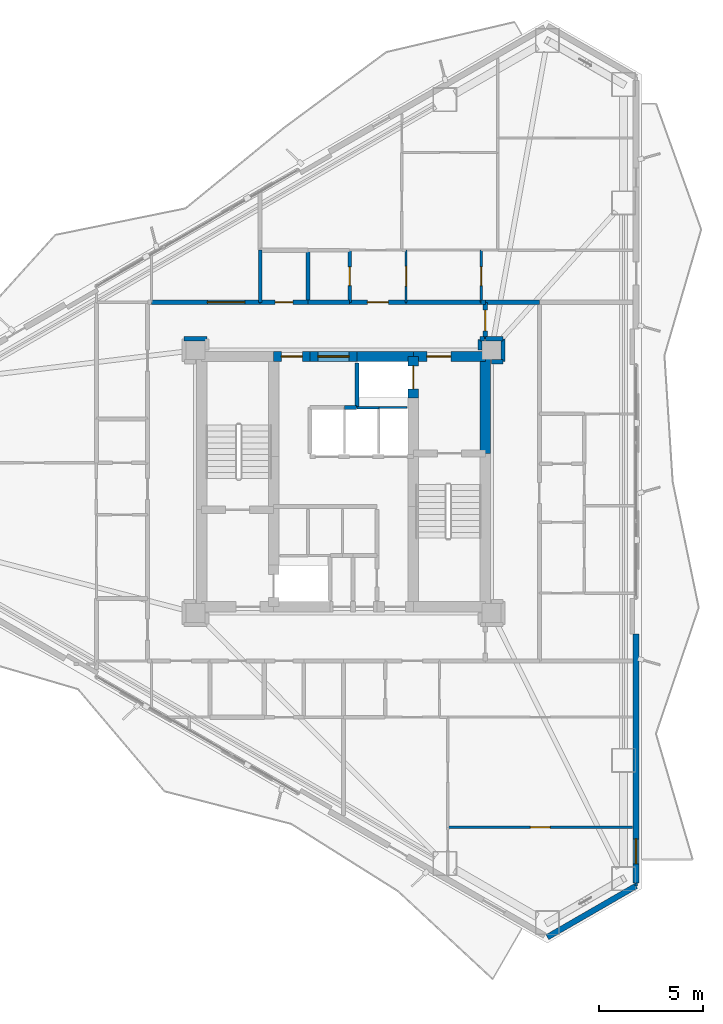
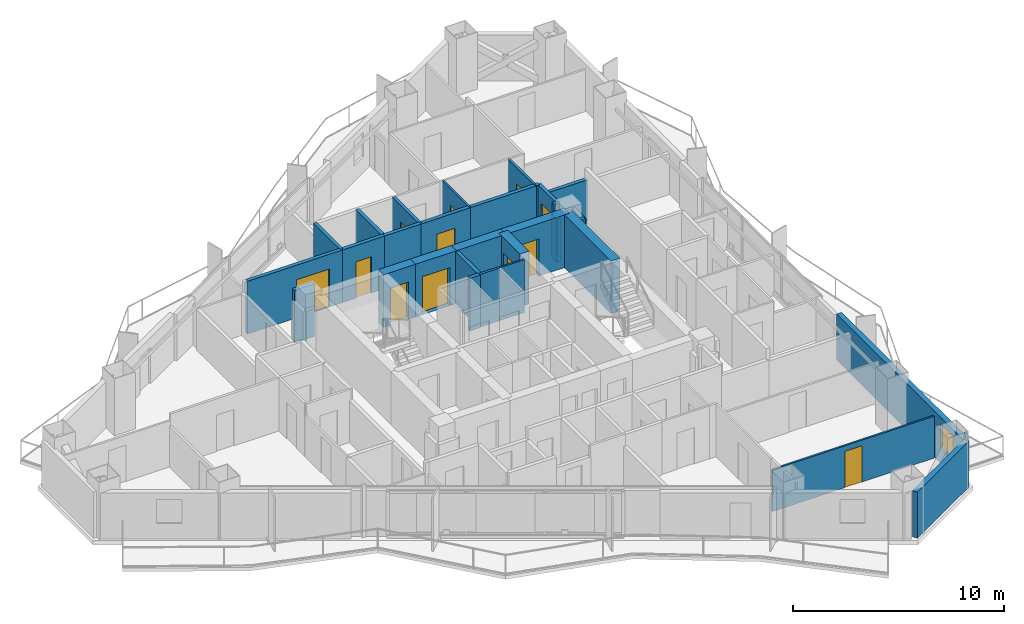
# One storey, part 18 of 22: 33 walls, 12 doors, 1 window, 13 openings.
"""IFC4 building model written with IfcOpenShell, lengths in metres."""

from ifc_helpers import new_model, si_unit, direction, frame, frame_2d, origin, place, context, subcontext, project, spatial, rectangle, extrude, material, layer, layer_set, type_object, element, fill, save


model = new_model("IFC4")

# Units and contexts
model_context = context("Model", 3, precision=1e-05, world=origin(), true_north=direction((0.0, 1.0)))
body_context = subcontext(model_context, "Body", "Model", "MODEL_VIEW")
ifc_project = project(units=[si_unit("LENGTHUNIT", "METRE"), si_unit("AREAUNIT", "SQUARE_METRE"), si_unit("VOLUMEUNIT", "CUBIC_METRE"), si_unit("PLANEANGLEUNIT", "RADIAN"), si_unit("MASSUNIT", "GRAM", prefix="KILO")], contexts=[model_context])

# Site, building, storey
site_placement = place(None, origin())
site = spatial("IfcSite", under=ifc_project, at=site_placement, CompositionType="ELEMENT")
building_placement = place(site_placement, origin())
building = spatial("IfcBuilding", under=site, at=building_placement, Name="Mersakhor Tower and Convention Hall", CompositionType="ELEMENT")
storey_placement = place(building_placement, frame((0.0, 0.0, 76.800048828125)))
storey = spatial("IfcBuildingStorey", under=building, at=storey_placement, Name="L20", CompositionType="ELEMENT", Elevation=76.800048828125)

# Wall
ifc_material_1 = material(Name="Precast concrete C45/55", Category="concrete")
ifc_layer_1 = layer(ifc_material_1, 0.27490234375)
ifc_layer_set_1 = layer_set([ifc_layer_1], Name="Precast concrete C45/55")
wall_type_1 = type_object("IfcWallType", Name="WL-EXT-275", PredefinedType="SOLIDWALL", material=ifc_layer_set_1)
wall_1_placement = place(storey_placement, frame((43.03466796875, 7.355712890625, 0.0), z_axis=(0.0, 0.0, 1.0), x_axis=(-0.866011848704, -0.500023477353, 0.0)))
element("IfcWall", 1, at=wall_1_placement, inside=storey, type_object=wall_type_1, Name="L20 Chamfer Braced Spandrel Wall C2", PredefinedType="SOLIDWALL", context=body_context, shape_type="SweptSolid", body=[
    extrude(rectangle(XDim=4.914306640625, YDim=0.27490234375, at=frame_2d((2.45703125, 0.0))), origin(), (0.0, 0.0, 1.0), 2.669921875),
])

# Wall, opening, window
wall_2_placement = place(storey_placement, frame((43.03466796875, 19.435302734375, 0.0), z_axis=(0.0, 0.0, 1.0), x_axis=(0.0, -1.0, 0.0)))
wall_2 = element("IfcWall", 2, at=wall_2_placement, inside=storey, type_object=wall_type_1, Name="L20 Exterior Facade Wall F2-B3", PredefinedType="SOLIDWALL", context=body_context, shape_type="SweptSolid", body=[
    extrude(rectangle(XDim=11.9296875, YDim=0.27490234375, at=frame_2d((5.96484375, 0.0))), origin(), (0.0, 0.0, 1.0), 2.669921875),
])
opening_1_placement = place(wall_2_placement, frame((9.825927734375, 0.0, 0.89990234375)))
opening_1 = element("IfcOpeningElement", 3, at=opening_1_placement, cuts=wall_2, Name="Opening W-01", PredefinedType="OPENING", context=body_context, shape_type="SweptSolid", body=[
    extrude(rectangle(XDim=1.199951171875, YDim=1.39990234375, at=frame_2d((0.60009765625, 0.699951171875))), frame((0.0, 0.1474609375, 0.0), z_axis=(0.0, -1.0, 0.0), x_axis=(1.0, 0.0, 0.0)), (0.0, 0.0, 1.0), 0.294921875),
])
ifc_material_2 = material(Name="Dark solar low-E glazed aluminium window", Category="aluminium")
window_type = type_object("IfcWindowType", Name="WN-RES-120x150", PartitioningType="SINGLE_PANEL", PredefinedType="WINDOW", material=ifc_material_2)
window_placement = place(opening_1_placement, origin())
window = element("IfcWindow", 4, at=window_placement, inside=storey, type_object=window_type, Name="L20 Bedroom Facade Window F2-B3-1", OverallHeight=1.39990234375, OverallWidth=1.199951171875, PartitioningType="SINGLE_PANEL", PredefinedType="WINDOW", context=body_context, shape_type="SweptSolid", body=[
    extrude(rectangle(XDim=1.199951171875, YDim=1.39990234375, at=frame_2d((0.60009765625, 0.699951171875))), frame((0.0, 0.030029296875, 0.0), z_axis=(0.0, -1.0, 0.0), x_axis=(1.0, 0.0, 0.0)), (0.0, 0.0, 1.0), 0.06005859375),
])
fill(opening_1, window)

# Wall, opening, door
ifc_material_3 = material(Name="Moisture-resistant acoustic drywall studwork", Category="other")
ifc_layer_2 = layer(ifc_material_3, 0.175048828125)
ifc_layer_set_2 = layer_set([ifc_layer_2], Name="Moisture-resistant acoustic drywall studwork")
wall_type_2 = type_object("IfcWallType", Name="WL-PLM-175", PredefinedType="PLUMBINGWALL", material=ifc_layer_set_2)
wall_3_placement = place(storey_placement, frame((29.300048828125, 35.35009765625, 0.0), z_axis=(0.0, 0.0, 1.0), x_axis=(0.0, 1.0, 0.0)))
wall_3 = element("IfcWall", 5, at=wall_3_placement, inside=storey, type_object=wall_type_2, Name="L20 Interior Partition Wall P-069", PredefinedType="PLUMBINGWALL", context=body_context, shape_type="SweptSolid", body=[
    extrude(rectangle(XDim=2.5, YDim=0.175048828125, at=frame_2d((1.25, 0.0))), origin(), (0.0, 0.0, 1.0), 3.050048828125),
])
opening_2_placement = place(wall_3_placement, frame((0.800048828125, 0.0, 0.0)))
opening_2 = element("IfcOpeningElement", 6, at=opening_2_placement, cuts=wall_3, Name="Opening WD-01", PredefinedType="OPENING", context=body_context, shape_type="SweptSolid", body=[
    extrude(rectangle(XDim=0.89990234375, YDim=2.10009765625, at=frame_2d((0.449951171875, 1.050048828125))), frame((0.0, 0.097412109375, 0.0), z_axis=(0.0, -1.0, 0.0), x_axis=(1.0, 0.0, 0.0)), (0.0, 0.0, 1.0), 0.195068359375),
])
ifc_material_4 = material(Name="Solid-core hardwood leaf in painted steel frame", Category="steel")
door_type_1 = type_object("IfcDoorType", Name="DR-INT-WET-090x210", OperationType="NOTDEFINED", PredefinedType="DOOR", material=ifc_material_4)
door_1_placement = place(opening_2_placement, origin())
door_1 = element("IfcDoor", 7, at=door_1_placement, inside=storey, type_object=door_type_1, Name="L20 L20 Flat N1 Apartment Hall to L20 Flat N1 Bathroom Door", OperationType="SINGLE_SWING_RIGHT", OverallHeight=2.10009765625, OverallWidth=0.89990234375, PredefinedType="DOOR", context=body_context, shape_type="SweptSolid", body=[
    extrude(rectangle(XDim=0.89990234375, YDim=2.10009765625, at=frame_2d((0.449951171875, 1.050048828125))), frame((0.0, 0.02490234375, 0.0), z_axis=(0.0, -1.0, 0.0), x_axis=(1.0, 0.0, 0.0)), (0.0, 0.0, 1.0), 0.050048828125),
])
fill(opening_2, door_1)

# Walls
wall_4_placement = place(storey_placement, frame((25.0, 35.35009765625, 0.0), z_axis=(0.0, 0.0, 1.0), x_axis=(0.0, 1.0, 0.0)))
element("IfcWall", 8, at=wall_4_placement, inside=storey, type_object=wall_type_2, Name="L20 Interior Partition Wall P-082", PredefinedType="PLUMBINGWALL", context=body_context, shape_type="SweptSolid", body=[
    extrude(rectangle(XDim=2.5, YDim=0.175048828125, at=frame_2d((1.25, 0.0))), origin(), (0.0, 0.0, 1.0), 3.050048828125),
])
ifc_material_5 = material(Name="Lightweight gypsum partition", Category="other")
ifc_layer_3 = layer(ifc_material_5, 0.10009765625)
ifc_layer_set_3 = layer_set([ifc_layer_3], Name="Lightweight gypsum partition")
wall_type_3 = type_object("IfcWallType", Name="WL-PRT-100", PredefinedType="PARTITIONING", material=ifc_layer_set_3)
wall_5_placement = place(storey_placement, frame((32.050048828125, 30.300048828125, 0.0), z_axis=(0.0, 0.0, 1.0), x_axis=(-1.0, 0.0, 0.0)))
element("IfcWall", 9, at=wall_5_placement, inside=storey, type_object=wall_type_3, Name="L20 Interior Partition Wall P-004", PredefinedType="PARTITIONING", context=body_context, shape_type="SweptSolid", body=[
    extrude(rectangle(XDim=1.35009765625, YDim=0.10009765625, at=frame_2d((0.675048828125, 0.0))), origin(), (0.0, 0.0, 1.0), 3.050048828125),
])

# Wall, opening, door
wall_6_placement = place(storey_placement, frame((32.0, 37.85009765625, 0.0), z_axis=(0.0, 0.0, 1.0), x_axis=(0.0, -1.0, 0.0)))
wall_6 = element("IfcWall", 10, at=wall_6_placement, inside=storey, type_object=wall_type_3, Name="L20 Interior Partition Wall P-068", PredefinedType="PARTITIONING", context=body_context, shape_type="SweptSolid", body=[
    extrude(rectangle(XDim=2.5, YDim=0.10009765625, at=frame_2d((1.25, 0.0))), origin(), (0.0, 0.0, 1.0), 3.050048828125),
])
opening_3_placement = place(wall_6_placement, frame((0.77490234375, 0.0, 0.0)))
opening_3 = element("IfcOpeningElement", 11, at=opening_3_placement, cuts=wall_6, Name="Opening RD-01", PredefinedType="OPENING", context=body_context, shape_type="SweptSolid", body=[
    extrude(rectangle(XDim=0.949951171875, YDim=2.10009765625, at=frame_2d((0.47509765625, 1.050048828125))), frame((0.0, 0.06005859375, 0.0), z_axis=(0.0, -1.0, 0.0), x_axis=(1.0, 0.0, 0.0)), (0.0, 0.0, 1.0), 0.1201171875),
])
ifc_material_6 = material(Name="Solid-core hardwood leaf in painted steel frame", Category="steel")
door_type_2 = type_object("IfcDoorType", Name="DR-INT-RM-095x210", OperationType="NOTDEFINED", PredefinedType="DOOR", material=ifc_material_6)
door_2_placement = place(opening_3_placement, origin())
door_2 = element("IfcDoor", 12, at=door_2_placement, inside=storey, type_object=door_type_2, Name="L20 L20 Flat N1 Apartment Hall to L20 Flat N1 Kitchen Door", OperationType="SINGLE_SWING_LEFT", OverallHeight=2.10009765625, OverallWidth=0.949951171875, PredefinedType="DOOR", context=body_context, shape_type="SweptSolid", body=[
    extrude(rectangle(XDim=0.949951171875, YDim=2.10009765625, at=frame_2d((0.47509765625, 1.050048828125))), frame((0.0, 0.02490234375, 0.0), z_axis=(0.0, -1.0, 0.0), x_axis=(1.0, 0.0, 0.0)), (0.0, 0.0, 1.0), 0.050048828125),
])
fill(opening_3, door_2)

wall_7_placement = place(storey_placement, frame((34.0, 10.169921875, 0.0), z_axis=(0.0, 0.0, 1.0), x_axis=(1.0, 0.0, 0.0)))
wall_7 = element("IfcWall", 13, at=wall_7_placement, inside=storey, type_object=wall_type_3, Name="L20 Interior Partition Wall P-130", PredefinedType="PARTITIONING", context=body_context, shape_type="SweptSolid", body=[
    extrude(rectangle(XDim=8.873046875, YDim=0.10009765625, at=frame_2d((4.4365234375, 0.0))), origin(), (0.0, 0.0, 1.0), 2.4228515625),
])
opening_4_placement = place(wall_7_placement, frame((3.961669921875, 0.0, 0.0)))
opening_4 = element("IfcOpeningElement", 14, at=opening_4_placement, cuts=wall_7, Name="Opening RD-01", PredefinedType="OPENING", context=body_context, shape_type="SweptSolid", body=[
    extrude(rectangle(XDim=0.949951171875, YDim=2.10009765625, at=frame_2d((0.47509765625, 1.050048828125))), frame((0.0, 0.06005859375, 0.0), z_axis=(0.0, -1.0, 0.0), x_axis=(1.0, 0.0, 0.0)), (0.0, 0.0, 1.0), 0.1201171875),
])
door_3_placement = place(opening_4_placement, origin())
door_3 = element("IfcDoor", 15, at=door_3_placement, inside=storey, type_object=door_type_2, Name="L20 L20 Flat S3 Bedroom 1 to L20 Flat S3 Dining Room Door", OperationType="SINGLE_SWING_RIGHT", OverallHeight=2.10009765625, OverallWidth=0.949951171875, PredefinedType="DOOR", context=body_context, shape_type="SweptSolid", body=[
    extrude(rectangle(XDim=0.949951171875, YDim=2.10009765625, at=frame_2d((0.47509765625, 1.050048828125))), frame((0.0, 0.02490234375, 0.0), z_axis=(0.0, -1.0, 0.0), x_axis=(1.0, 0.0, 0.0)), (0.0, 0.0, 1.0), 0.050048828125),
])
fill(opening_4, door_3)

# Wall
ifc_material_7 = material(Name="Gypsum board acoustic partition", Category="other")
ifc_layer_4 = layer(ifc_material_7, 0.125)
ifc_layer_set_4 = layer_set([ifc_layer_4], Name="Gypsum board acoustic partition")
wall_type_4 = type_object("IfcWallType", Name="WL-PRT-125", PredefinedType="PARTITIONING", material=ifc_layer_set_4)
wall_8_placement = place(storey_placement, frame((30.699951171875, 30.300048828125, 0.0), z_axis=(0.0, 0.0, 1.0), x_axis=(-1.0, 0.0, 0.0)))
element("IfcWall", 16, at=wall_8_placement, inside=storey, type_object=wall_type_4, Name="L20 Interior Partition Wall P-005", PredefinedType="PARTITIONING", context=body_context, shape_type="SweptSolid", body=[
    extrude(rectangle(XDim=1.050048828125, YDim=0.125, at=frame_2d((0.52490234375, 0.0))), origin(), (0.0, 0.0, 1.0), 3.050048828125),
])

# Wall, opening, door
wall_9_placement = place(storey_placement, frame((35.60009765625, 37.85009765625, 0.0), z_axis=(0.0, 0.0, 1.0), x_axis=(0.0, -1.0, 0.0)))
wall_9 = element("IfcWall", 17, at=wall_9_placement, inside=storey, type_object=wall_type_4, Name="L20 Interior Partition Wall P-085", PredefinedType="PARTITIONING", context=body_context, shape_type="SweptSolid", body=[
    extrude(rectangle(XDim=2.5, YDim=0.125, at=frame_2d((1.25, 0.0))), origin(), (0.0, 0.0, 1.0), 3.050048828125),
])
opening_5_placement = place(wall_9_placement, frame((0.800048828125, 0.0, 0.0)))
opening_5 = element("IfcOpeningElement", 18, at=opening_5_placement, cuts=wall_9, Name="Opening WD-01", PredefinedType="OPENING", context=body_context, shape_type="SweptSolid", body=[
    extrude(rectangle(XDim=0.89990234375, YDim=2.10009765625, at=frame_2d((0.449951171875, 1.050048828125))), frame((0.0, 0.072509765625, 0.0), z_axis=(0.0, -1.0, 0.0), x_axis=(1.0, 0.0, 0.0)), (0.0, 0.0, 1.0), 0.14501953125),
])
door_4_placement = place(opening_5_placement, origin())
door_4 = element("IfcDoor", 19, at=door_4_placement, inside=storey, type_object=door_type_1, Name="L20 L20 Flat N1 Kitchen to L20 Flat N1 Study Room Door", OperationType="SINGLE_SWING_LEFT", OverallHeight=2.10009765625, OverallWidth=0.89990234375, PredefinedType="DOOR", context=body_context, shape_type="SweptSolid", body=[
    extrude(rectangle(XDim=0.89990234375, YDim=2.10009765625, at=frame_2d((0.449951171875, 1.050048828125))), frame((0.0, 0.02490234375, 0.0), z_axis=(0.0, -1.0, 0.0), x_axis=(1.0, 0.0, 0.0)), (0.0, 0.0, 1.0), 0.050048828125),
])
fill(opening_5, door_4)

# Walls
wall_10_placement = place(storey_placement, frame((43.034912109375, 7.505615234375, 0.0), z_axis=(0.0, 0.0, 1.0), x_axis=(0.0, -1.0, 0.0)))
element("IfcWall", 20, at=wall_10_placement, inside=storey, type_object=wall_type_4, Name="L20 Interior Partition Wall P-131", PredefinedType="PARTITIONING", context=body_context, shape_type="SweptSolid", body=[
    extrude(rectangle(XDim=0.149658203125, YDim=0.125, at=frame_2d((0.07470703125, 0.0))), origin(), (0.0, 0.0, 1.0), 3.050048828125),
])
ifc_material_8 = material(Name="Acoustic concrete blockwork and gypsum board", Category="masonry")
ifc_layer_5 = layer(ifc_material_8, 0.199951171875)
ifc_layer_set_5 = layer_set([ifc_layer_5], Name="Acoustic concrete blockwork and gypsum board")
wall_type_5 = type_object("IfcWallType", Name="WL-PRT-200", PredefinedType="PARTITIONING", material=ifc_layer_set_5)
wall_11_placement = place(storey_placement, frame((29.64990234375, 30.300048828125, 0.0), z_axis=(0.0, 0.0, 1.0), x_axis=(0.0, 1.0, 0.0)))
element("IfcWall", 21, at=wall_11_placement, inside=storey, type_object=wall_type_5, Name="L20 Interior Partition Wall P-006", PredefinedType="PARTITIONING", context=body_context, shape_type="SweptSolid", body=[
    extrude(rectangle(XDim=2.14990234375, YDim=0.199951171875, at=frame_2d((1.074951171875, 0.0))), origin(), (0.0, 0.0, 1.0), 3.050048828125),
])
wall_12_placement = place(storey_placement, frame((29.050048828125, 30.300048828125, 0.0), z_axis=(0.0, 0.0, 1.0), x_axis=(1.0, 0.0, 0.0)))
element("IfcWall", 22, at=wall_12_placement, inside=storey, type_object=wall_type_5, Name="L20 Interior Partition Wall P-016", PredefinedType="PARTITIONING", context=body_context, shape_type="SweptSolid", body=[
    extrude(rectangle(XDim=0.570068359375, YDim=0.199951171875, at=frame_2d((0.28515625, 0.0))), origin(), (0.0, 0.0, 1.0), 3.050048828125),
])

# Wall, opening, door
wall_13_placement = place(storey_placement, frame((19.800048828125, 35.35009765625, 0.0), z_axis=(0.0, 0.0, 1.0), x_axis=(1.0, 0.0, 0.0)))
wall_13 = element("IfcWall", 23, at=wall_13_placement, inside=storey, type_object=wall_type_5, Name="L20 Interior Partition Wall P-038", PredefinedType="PARTITIONING", context=body_context, shape_type="SweptSolid", body=[
    extrude(rectangle(XDim=5.199951171875, YDim=0.199951171875, at=frame_2d((2.60009765625, 0.0))), origin(), (0.0, 0.0, 1.0), 3.050048828125),
])
opening_6_placement = place(wall_13_placement, frame((2.672119140625, 0.0, 0.0)))
opening_6 = element("IfcOpeningElement", 24, at=opening_6_placement, cuts=wall_13, Name="Opening HD-01", PredefinedType="OPENING", context=body_context, shape_type="SweptSolid", body=[
    extrude(rectangle(XDim=1.800048828125, YDim=2.199951171875, at=frame_2d((0.89990234375, 1.10009765625))), frame((0.0, 0.10986328125, 0.0), z_axis=(0.0, -1.0, 0.0), x_axis=(1.0, 0.0, 0.0)), (0.0, 0.0, 1.0), 0.219970703125),
])
ifc_material_9 = material(Name="Fire-rated hardwood leaf and painted steel frame", Category="steel")
door_type_3 = type_object("IfcDoorType", Name="DR-INT-HALL-180x220", OperationType="NOTDEFINED", PredefinedType="DOOR", material=ifc_material_9)
door_5_placement = place(opening_6_placement, origin())
door_5 = element("IfcDoor", 25, at=door_5_placement, inside=storey, type_object=door_type_3, Name="L20 Residential Ring Corridor to L20 North Floor Residents Meeting Room Door", OperationType="DOUBLE_DOOR_SINGLE_SWING", OverallHeight=2.199951171875, OverallWidth=1.800048828125, PredefinedType="DOOR", context=body_context, shape_type="SweptSolid", body=[
    extrude(rectangle(XDim=1.800048828125, YDim=2.199951171875, at=frame_2d((0.89990234375, 1.10009765625))), frame((0.0, 0.02490234375, 0.0), z_axis=(0.0, -1.0, 0.0), x_axis=(1.0, 0.0, 0.0)), (0.0, 0.0, 1.0), 0.050048828125),
])
fill(opening_6, door_5)

wall_14_placement = place(storey_placement, frame((25.0, 35.35009765625, 0.0), z_axis=(0.0, 0.0, 1.0), x_axis=(1.0, 0.0, 0.0)))
wall_14 = element("IfcWall", 26, at=wall_14_placement, inside=storey, type_object=wall_type_5, Name="L20 Interior Partition Wall P-039", PredefinedType="PARTITIONING", context=body_context, shape_type="SweptSolid", body=[
    extrude(rectangle(XDim=2.300048828125, YDim=0.199951171875, at=frame_2d((1.14990234375, 0.0))), origin(), (0.0, 0.0, 1.0), 3.050048828125),
])
opening_7_placement = place(wall_14_placement, frame((0.72509765625, 0.0, 0.0)))
opening_7 = element("IfcOpeningElement", 27, at=opening_7_placement, cuts=wall_14, Name="Opening SVD-01", PredefinedType="OPENING", context=body_context, shape_type="SweptSolid", body=[
    extrude(rectangle(XDim=0.85009765625, YDim=2.10009765625, at=frame_2d((0.425048828125, 1.050048828125))), frame((0.0, 0.10986328125, 0.0), z_axis=(0.0, -1.0, 0.0), x_axis=(1.0, 0.0, 0.0)), (0.0, 0.0, 1.0), 0.219970703125),
])
ifc_material_10 = material(Name="Fire-rated hardwood leaf and painted steel frame", Category="steel")
door_type_4 = type_object("IfcDoorType", Name="DR-INT-SVC-085x210", OperationType="NOTDEFINED", PredefinedType="DOOR", material=ifc_material_10)
door_6_placement = place(opening_7_placement, origin())
door_6 = element("IfcDoor", 28, at=door_6_placement, inside=storey, type_object=door_type_4, Name="L20 Residential Ring Corridor to L20 North Floor Accessible Toilet WC Door", OperationType="SINGLE_SWING_RIGHT", OverallHeight=2.10009765625, OverallWidth=0.85009765625, PredefinedType="DOOR", context=body_context, shape_type="SweptSolid", body=[
    extrude(rectangle(XDim=0.85009765625, YDim=2.10009765625, at=frame_2d((0.425048828125, 1.050048828125))), frame((0.0, 0.02490234375, 0.0), z_axis=(0.0, -1.0, 0.0), x_axis=(1.0, 0.0, 0.0)), (0.0, 0.0, 1.0), 0.050048828125),
])
fill(opening_7, door_6)

# Wall
wall_15_placement = place(storey_placement, frame((27.300048828125, 35.35009765625, 0.0), z_axis=(0.0, 0.0, 1.0), x_axis=(1.0, 0.0, 0.0)))
element("IfcWall", 29, at=wall_15_placement, inside=storey, type_object=wall_type_5, Name="L20 Interior Partition Wall P-040", PredefinedType="PARTITIONING", context=body_context, shape_type="SweptSolid", body=[
    extrude(rectangle(XDim=2.0, YDim=0.199951171875, at=frame_2d((1.0, 0.0))), origin(), (0.0, 0.0, 1.0), 3.050048828125),
])

# Wall, opening, door
wall_16_placement = place(storey_placement, frame((29.300048828125, 35.35009765625, 0.0), z_axis=(0.0, 0.0, 1.0), x_axis=(1.0, 0.0, 0.0)))
wall_16 = element("IfcWall", 30, at=wall_16_placement, inside=storey, type_object=wall_type_5, Name="L20 Interior Partition Wall P-041", PredefinedType="PARTITIONING", context=body_context, shape_type="SweptSolid", body=[
    extrude(rectangle(XDim=2.699951171875, YDim=0.199951171875, at=frame_2d((1.35009765625, 0.0))), origin(), (0.0, 0.0, 1.0), 3.050048828125),
])
opening_8_placement = place(wall_16_placement, frame((0.85009765625, 0.0, 0.0)))
opening_8 = element("IfcOpeningElement", 31, at=opening_8_placement, cuts=wall_16, Name="Opening FD-01", PredefinedType="OPENING", context=body_context, shape_type="SweptSolid", body=[
    extrude(rectangle(XDim=1.0, YDim=2.14990234375, at=frame_2d((0.5, 1.074951171875))), frame((0.0, 0.10986328125, 0.0), z_axis=(0.0, -1.0, 0.0), x_axis=(1.0, 0.0, 0.0)), (0.0, 0.0, 1.0), 0.219970703125),
])
ifc_material_11 = material(Name="Fire-rated hardwood leaf and painted steel frame", Category="steel")
door_type_5 = type_object("IfcDoorType", Name="DR-INT-FLT-100x215", OperationType="NOTDEFINED", PredefinedType="DOOR", material=ifc_material_11)
door_7_placement = place(opening_8_placement, origin())
door_7 = element("IfcDoor", 32, at=door_7_placement, inside=storey, type_object=door_type_5, Name="L20 Apartment Entrance Door (Residential Ring Corridor to L20 Flat N1 Apartment Hall)", OperationType="SINGLE_SWING_LEFT", OverallHeight=2.14990234375, OverallWidth=1.0, PredefinedType="DOOR", context=body_context, shape_type="SweptSolid", body=[
    extrude(rectangle(XDim=1.0, YDim=2.14990234375, at=frame_2d((0.5, 1.074951171875))), frame((0.0, 0.02490234375, 0.0), z_axis=(0.0, -1.0, 0.0), x_axis=(1.0, 0.0, 0.0)), (0.0, 0.0, 1.0), 0.050048828125),
])
fill(opening_8, door_7)

# Walls
wall_17_placement = place(storey_placement, frame((32.0, 35.35009765625, 0.0), z_axis=(0.0, 0.0, 1.0), x_axis=(1.0, 0.0, 0.0)))
element("IfcWall", 33, at=wall_17_placement, inside=storey, type_object=wall_type_5, Name="L20 Interior Partition Wall P-042", PredefinedType="PARTITIONING", context=body_context, shape_type="SweptSolid", body=[
    extrude(rectangle(XDim=3.60009765625, YDim=0.199951171875, at=frame_2d((1.800048828125, 0.0))), origin(), (0.0, 0.0, 1.0), 3.050048828125),
])
wall_18_placement = place(storey_placement, frame((35.60009765625, 35.35009765625, 0.0), z_axis=(0.0, 0.0, 1.0), x_axis=(1.0, 0.0, 0.0)))
element("IfcWall", 34, at=wall_18_placement, inside=storey, type_object=wall_type_5, Name="L20 Interior Partition Wall P-043", PredefinedType="PARTITIONING", context=body_context, shape_type="SweptSolid", body=[
    extrude(rectangle(XDim=0.199951171875, YDim=0.199951171875, at=frame_2d((0.10009765625, 0.0))), origin(), (0.0, 0.0, 1.0), 3.050048828125),
])

# Wall, opening, door
wall_19_placement = place(storey_placement, frame((35.800048828125, 35.35009765625, 0.0), z_axis=(0.0, 0.0, 1.0), x_axis=(0.0, -1.0, 0.0)))
wall_19 = element("IfcWall", 35, at=wall_19_placement, inside=storey, type_object=wall_type_5, Name="L20 Interior Partition Wall P-044", PredefinedType="PARTITIONING", context=body_context, shape_type="SweptSolid", body=[
    extrude(rectangle(XDim=1.75, YDim=0.199951171875, at=frame_2d((0.875, 0.0))), origin(), (0.0, 0.0, 1.0), 3.050048828125),
])
opening_9_placement = place(wall_19_placement, frame((0.375, 0.0, 0.0)))
opening_9 = element("IfcOpeningElement", 36, at=opening_9_placement, cuts=wall_19, Name="Opening FD-01", PredefinedType="OPENING", context=body_context, shape_type="SweptSolid", body=[
    extrude(rectangle(XDim=1.0, YDim=2.14990234375, at=frame_2d((0.5, 1.074951171875))), frame((0.0, 0.10986328125, 0.0), z_axis=(0.0, -1.0, 0.0), x_axis=(1.0, 0.0, 0.0)), (0.0, 0.0, 1.0), 0.219970703125),
])
door_8_placement = place(opening_9_placement, origin())
door_8 = element("IfcDoor", 37, at=door_8_placement, inside=storey, type_object=door_type_5, Name="L20 Ring Corridor Fire Door", OperationType="SINGLE_SWING_RIGHT", OverallHeight=2.14990234375, OverallWidth=1.0, PredefinedType="DOOR", context=body_context, shape_type="SweptSolid", body=[
    extrude(rectangle(XDim=1.0, YDim=2.14990234375, at=frame_2d((0.5, 1.074951171875))), frame((0.0, 0.02490234375, 0.0), z_axis=(0.0, -1.0, 0.0), x_axis=(1.0, 0.0, 0.0)), (0.0, 0.0, 1.0), 0.050048828125),
])
fill(opening_9, door_8)

# Walls
wall_20_placement = place(storey_placement, frame((35.77001953125, 33.60009765625, 0.0), z_axis=(0.0, 0.0, 1.0), x_axis=(-1.0, 0.0, 0.0)))
element("IfcWall", 38, at=wall_20_placement, inside=storey, type_object=wall_type_5, Name="L20 Interior Partition Wall P-045", PredefinedType="PARTITIONING", context=body_context, shape_type="SweptSolid", body=[
    extrude(rectangle(XDim=0.219970703125, YDim=0.199951171875, at=frame_2d((0.10986328125, 0.0))), origin(), (0.0, 0.0, 1.0), 3.050048828125),
])
wall_21_placement = place(storey_placement, frame((35.550048828125, 33.570068359375, 0.0), z_axis=(0.0, 0.0, 1.0), x_axis=(0.0, -1.0, 0.0)))
element("IfcWall", 39, at=wall_21_placement, inside=storey, type_object=wall_type_5, Name="L20 Interior Partition Wall P-046", PredefinedType="PARTITIONING", context=body_context, shape_type="SweptSolid", body=[
    extrude(rectangle(XDim=0.52001953125, YDim=0.199951171875, at=frame_2d((0.260009765625, 0.0))), origin(), (0.0, 0.0, 1.0), 2.498291015625),
])
wall_22_placement = place(storey_placement, frame((22.449951171875, 33.60009765625, 0.0), z_axis=(0.0, 0.0, 1.0), x_axis=(-1.0, 0.0, 0.0)))
element("IfcWall", 40, at=wall_22_placement, inside=storey, type_object=wall_type_5, Name="L20 Interior Partition Wall P-048", PredefinedType="PARTITIONING", context=body_context, shape_type="SweptSolid", body=[
    extrude(rectangle(XDim=1.099853515625, YDim=0.199951171875, at=frame_2d((0.5498046875, 0.0))), origin(), (0.0, 0.0, 1.0), 3.050048828125),
])
wall_23_placement = place(storey_placement, frame((36.10009765625, 32.5, 0.0), z_axis=(0.0, 0.0, 1.0), x_axis=(1.0, 0.0, 0.0)))
element("IfcWall", 41, at=wall_23_placement, inside=storey, type_object=wall_type_5, Name="L20 Interior Partition Wall P-054", PredefinedType="PARTITIONING", context=body_context, shape_type="SweptSolid", body=[
    extrude(rectangle(XDim=0.5498046875, YDim=0.199951171875, at=frame_2d((0.27490234375, 0.0))), origin(), (0.0, 0.0, 1.0), 2.498291015625),
])
wall_24_placement = place(storey_placement, frame((36.64990234375, 32.5, 0.0), z_axis=(0.0, 0.0, 1.0), x_axis=(0.0, 1.0, 0.0)))
element("IfcWall", 42, at=wall_24_placement, inside=storey, type_object=wall_type_5, Name="L20 Interior Partition Wall P-055", PredefinedType="PARTITIONING", context=body_context, shape_type="SweptSolid", body=[
    extrude(rectangle(XDim=1.10009765625, YDim=0.199951171875, at=frame_2d((0.550048828125, 0.0))), origin(), (0.0, 0.0, 1.0), 2.4228515625),
])
wall_25_placement = place(storey_placement, frame((36.64990234375, 33.60009765625, 0.0), z_axis=(0.0, 0.0, 1.0), x_axis=(-1.0, 0.0, 0.0)))
element("IfcWall", 43, at=wall_25_placement, inside=storey, type_object=wall_type_5, Name="L20 Interior Partition Wall P-056", PredefinedType="PARTITIONING", context=body_context, shape_type="SweptSolid", body=[
    extrude(rectangle(XDim=0.849853515625, YDim=0.199951171875, at=frame_2d((0.4248046875, 0.0))), origin(), (0.0, 0.0, 1.0), 2.4228515625),
])
wall_26_placement = place(storey_placement, frame((35.800048828125, 35.35009765625, 0.0), z_axis=(0.0, 0.0, 1.0), x_axis=(1.0, 0.0, 0.0)))
element("IfcWall", 44, at=wall_26_placement, inside=storey, type_object=wall_type_5, Name="L20 Interior Partition Wall P-057", PredefinedType="PARTITIONING", context=body_context, shape_type="SweptSolid", body=[
    extrude(rectangle(XDim=2.599853515625, YDim=0.199951171875, at=frame_2d((1.2998046875, 0.0))), origin(), (0.0, 0.0, 1.0), 2.4228515625),
])
wall_27_placement = place(storey_placement, frame((27.300048828125, 37.85009765625, 0.0), z_axis=(0.0, 0.0, 1.0), x_axis=(0.0, -1.0, 0.0)))
element("IfcWall", 45, at=wall_27_placement, inside=storey, type_object=wall_type_5, Name="L20 Interior Partition Wall P-081", PredefinedType="PARTITIONING", context=body_context, shape_type="SweptSolid", body=[
    extrude(rectangle(XDim=2.5, YDim=0.199951171875, at=frame_2d((1.25, 0.0))), origin(), (0.0, 0.0, 1.0), 3.050048828125),
])

# Wall, opening, door
ifc_material_12 = material(Name="Concrete C70/85", Category="concrete")
ifc_layer_6 = layer(ifc_material_12, 0.5)
ifc_layer_set_6 = layer_set([ifc_layer_6], Name="Concrete C70/85")
wall_type_6 = type_object("IfcWallType", Name="WL-SHR-500", PredefinedType="SHEAR", material=ifc_layer_set_6)
wall_28_placement = place(storey_placement, frame((25.64990234375, 32.75, 0.0), z_axis=(0.0, 0.0, 1.0), x_axis=(1.0, 0.0, 0.0)))
wall_28 = element("IfcWall", 46, at=wall_28_placement, inside=storey, type_object=wall_type_6, Name="L20 Core Wall CW-N2A", PredefinedType="SHEAR", context=body_context, shape_type="SweptSolid", body=[
    extrude(rectangle(XDim=1.75, YDim=0.5, at=frame_2d((0.875, 0.0))), origin(), (0.0, 0.0, 1.0), 3.050048828125),
])
opening_10_placement = place(wall_28_placement, frame((0.375, 0.0, 0.0)))
opening_10 = element("IfcOpeningElement", 47, at=opening_10_placement, cuts=wall_28, Name="Opening CFD-01", PredefinedType="OPENING", context=body_context, shape_type="SweptSolid", body=[
    extrude(rectangle(XDim=1.0, YDim=2.14990234375, at=frame_2d((0.5, 1.074951171875))), frame((0.0, 0.260009765625, 0.0), z_axis=(0.0, -1.0, 0.0), x_axis=(1.0, 0.0, 0.0)), (0.0, 0.0, 1.0), 0.52001953125),
])
ifc_material_13 = material(Name="Fire-rated hardwood leaf and painted steel frame", Category="steel")
door_type_6 = type_object("IfcDoorType", Name="DR-CORE-FD-100x215", OperationType="NOTDEFINED", PredefinedType="DOOR", material=ifc_material_13)
door_9_placement = place(opening_10_placement, origin())
door_9 = element("IfcDoor", 48, at=door_9_placement, inside=storey, type_object=door_type_6, Name="L20 Lift Lobby North Corridor Door", OperationType="SINGLE_SWING_LEFT", OverallHeight=2.14990234375, OverallWidth=1.0, PredefinedType="DOOR", context=body_context, shape_type="SweptSolid", body=[
    extrude(rectangle(XDim=1.0, YDim=2.14990234375, at=frame_2d((0.5, 1.074951171875))), frame((0.0, 0.02490234375, 0.0), z_axis=(0.0, -1.0, 0.0), x_axis=(1.0, 0.0, 0.0)), (0.0, 0.0, 1.0), 0.050048828125),
])
fill(opening_10, door_9)

wall_29_placement = place(storey_placement, frame((27.39990234375, 32.75, 0.0), z_axis=(0.0, 0.0, 1.0), x_axis=(1.0, 0.0, 0.0)))
wall_29 = element("IfcWall", 49, at=wall_29_placement, inside=storey, type_object=wall_type_6, Name="L20 Core Wall CW-N2B", PredefinedType="SHEAR", context=body_context, shape_type="SweptSolid", body=[
    extrude(rectangle(XDim=2.25, YDim=0.5, at=frame_2d((1.125, 0.0))), origin(), (0.0, 0.0, 1.0), 3.050048828125),
])
opening_11_placement = place(wall_29_placement, frame((0.375, 0.0, 0.0)))
opening_11 = element("IfcOpeningElement", 50, at=opening_11_placement, cuts=wall_29, Name="Opening LD-LOB", PredefinedType="OPENING", context=body_context, shape_type="SweptSolid", body=[
    extrude(rectangle(XDim=1.5, YDim=2.199951171875, at=frame_2d((0.75, 1.10009765625))), frame((0.0, 0.260009765625, 0.0), z_axis=(0.0, -1.0, 0.0), x_axis=(1.0, 0.0, 0.0)), (0.0, 0.0, 1.0), 0.52001953125),
])
ifc_material_14 = material(Name="Fire-rated hardwood leaf and painted steel frame", Category="steel")
door_type_7 = type_object("IfcDoorType", Name="DR-INT-LOB-150x220", OperationType="NOTDEFINED", PredefinedType="DOOR", material=ifc_material_14)
door_10_placement = place(opening_11_placement, origin())
door_10 = element("IfcDoor", 51, at=door_10_placement, inside=storey, type_object=door_type_7, Name="L20 Central Passenger Lift Lobby to Residential Ring Corridor Door", OperationType="DOUBLE_DOOR_SINGLE_SWING", OverallHeight=2.199951171875, OverallWidth=1.5, PredefinedType="DOOR", context=body_context, shape_type="SweptSolid", body=[
    extrude(rectangle(XDim=1.5, YDim=2.199951171875, at=frame_2d((0.75, 1.10009765625))), frame((0.0, 0.02490234375, 0.0), z_axis=(0.0, -1.0, 0.0), x_axis=(1.0, 0.0, 0.0)), (0.0, 0.0, 1.0), 0.050048828125),
])
fill(opening_11, door_10)

# Wall
wall_30_placement = place(storey_placement, frame((29.64990234375, 32.75, 0.0), z_axis=(0.0, 0.0, 1.0), x_axis=(1.0, 0.0, 0.0)))
element("IfcWall", 52, at=wall_30_placement, inside=storey, type_object=wall_type_6, Name="L20 Core Wall CW-N3", PredefinedType="SHEAR", context=body_context, shape_type="SweptSolid", body=[
    extrude(rectangle(XDim=2.7001953125, YDim=0.5, at=frame_2d((1.35009765625, 0.0))), origin(), (0.0, 0.0, 1.0), 3.050048828125),
])

# Wall, opening, door
wall_31_placement = place(storey_placement, frame((32.35009765625, 32.75, 0.0), z_axis=(0.0, 0.0, 1.0), x_axis=(1.0, 0.0, 0.0)))
wall_31 = element("IfcWall", 53, at=wall_31_placement, inside=storey, type_object=wall_type_6, Name="L20 Core Wall CW-N4", PredefinedType="SHEAR", context=body_context, shape_type="SweptSolid", body=[
    extrude(rectangle(XDim=3.449951171875, YDim=0.5, at=frame_2d((1.72509765625, 0.0))), origin(), (0.0, 0.0, 1.0), 3.050048828125),
])
opening_12_placement = place(wall_31_placement, frame((0.64990234375, 0.0, 0.0)))
opening_12 = element("IfcOpeningElement", 54, at=opening_12_placement, cuts=wall_31, Name="Opening SD-01", PredefinedType="OPENING", context=body_context, shape_type="SweptSolid", body=[
    extrude(rectangle(XDim=1.14990234375, YDim=2.14990234375, at=frame_2d((0.574951171875, 1.074951171875))), frame((0.0, 0.260009765625, 0.0), z_axis=(0.0, -1.0, 0.0), x_axis=(1.0, 0.0, 0.0)), (0.0, 0.0, 1.0), 0.52001953125),
])
ifc_material_15 = material(Name="Fire-rated hardwood leaf and painted steel frame", Category="steel")
door_type_8 = type_object("IfcDoorType", Name="DR-INT-STAIR-115x215", OperationType="NOTDEFINED", PredefinedType="DOOR", material=ifc_material_15)
door_11_placement = place(opening_12_placement, origin())
door_11 = element("IfcDoor", 55, at=door_11_placement, inside=storey, type_object=door_type_8, Name="L20 Firefighting Lobby East Fire Door", OperationType="SINGLE_SWING_RIGHT", OverallHeight=2.14990234375, OverallWidth=1.14990234375, PredefinedType="DOOR", context=body_context, shape_type="SweptSolid", body=[
    extrude(rectangle(XDim=1.14990234375, YDim=2.14990234375, at=frame_2d((0.574951171875, 1.074951171875))), frame((0.0, 0.02490234375, 0.0), z_axis=(0.0, -1.0, 0.0), x_axis=(1.0, 0.0, 0.0)), (0.0, 0.0, 1.0), 0.050048828125),
])
fill(opening_12, door_11)

# Wall
wall_32_placement = place(storey_placement, frame((35.800048828125, 32.75, 0.0), z_axis=(0.0, 0.0, 1.0), x_axis=(0.0, -1.0, 0.0)))
element("IfcWall", 56, at=wall_32_placement, inside=storey, type_object=wall_type_6, Name="L20 Core Wall CW-E1", PredefinedType="SHEAR", context=body_context, shape_type="SweptSolid", body=[
    extrude(rectangle(XDim=4.64990234375, YDim=0.5, at=frame_2d((2.324951171875, 0.0))), origin(), (0.0, 0.0, 1.0), 3.050048828125),
])

# Wall, opening, door
wall_33_placement = place(storey_placement, frame((32.35009765625, 30.75, 0.0), z_axis=(0.0, 0.0, 1.0), x_axis=(0.0, 1.0, 0.0)))
wall_33 = element("IfcWall", 57, at=wall_33_placement, inside=storey, type_object=wall_type_6, Name="L20 Core Wall CS-E-FFL", PredefinedType="SHEAR", context=body_context, shape_type="SweptSolid", body=[
    extrude(rectangle(XDim=2.0, YDim=0.5, at=frame_2d((1.0, 0.0))), origin(), (0.0, 0.0, 1.0), 3.050048828125),
])
opening_13_placement = place(wall_33_placement, frame((0.449951171875, 0.0, 0.0)))
opening_13 = element("IfcOpeningElement", 58, at=opening_13_placement, cuts=wall_33, Name="Opening LD-FFL2", PredefinedType="OPENING", context=body_context, shape_type="SweptSolid", body=[
    extrude(rectangle(XDim=1.10009765625, YDim=2.14990234375, at=frame_2d((0.550048828125, 1.074951171875))), frame((0.0, 0.260009765625, 0.0), z_axis=(0.0, -1.0, 0.0), x_axis=(1.0, 0.0, 0.0)), (0.0, 0.0, 1.0), 0.52001953125),
])
ifc_material_16 = material(Name="Fire-rated brushed stainless steel sliding landing door", Category="steel")
door_type_9 = type_object("IfcDoorType", Name="DR-LIFT-SLD-110x215", OperationType="NOTDEFINED", PredefinedType="DOOR", material=ifc_material_16)
door_12_placement = place(opening_13_placement, origin())
door_12 = element("IfcDoor", 59, at=door_12_placement, inside=storey, type_object=door_type_9, Name="L20 Firefighting Lift Landing Door LD-FFL2", OperationType="SLIDING_TO_LEFT", OverallHeight=2.14990234375, OverallWidth=1.10009765625, PredefinedType="DOOR", context=body_context, shape_type="SweptSolid", body=[
    extrude(rectangle(XDim=1.10009765625, YDim=2.14990234375, at=frame_2d((0.550048828125, 1.074951171875))), frame((0.0, 0.02490234375, 0.0), z_axis=(0.0, -1.0, 0.0), x_axis=(1.0, 0.0, 0.0)), (0.0, 0.0, 1.0), 0.050048828125),
])
fill(opening_13, door_12)

save(model, "model.ifc")
